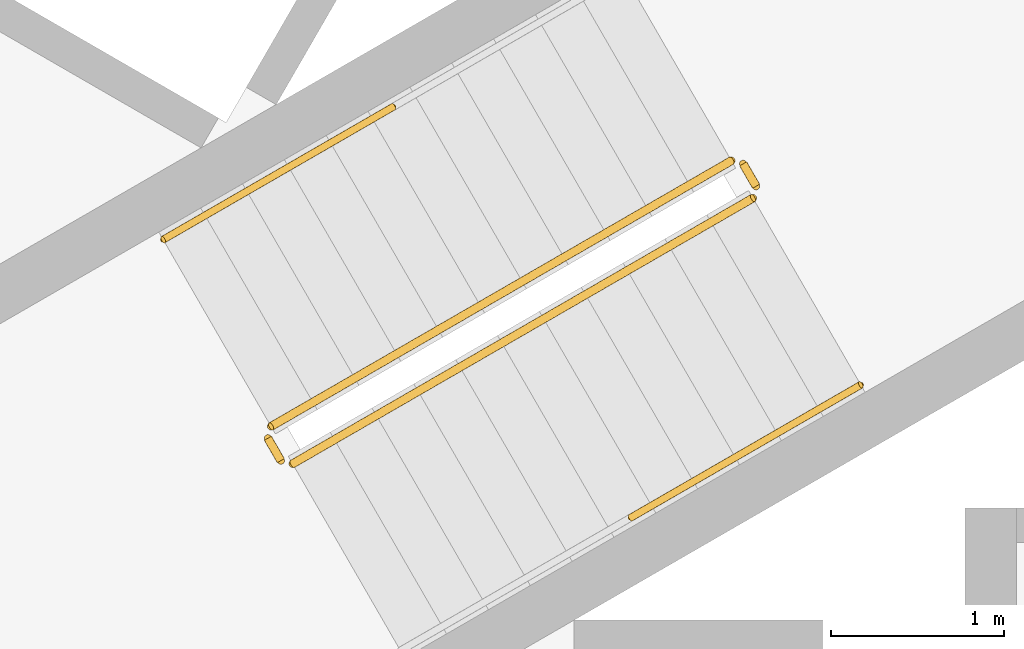
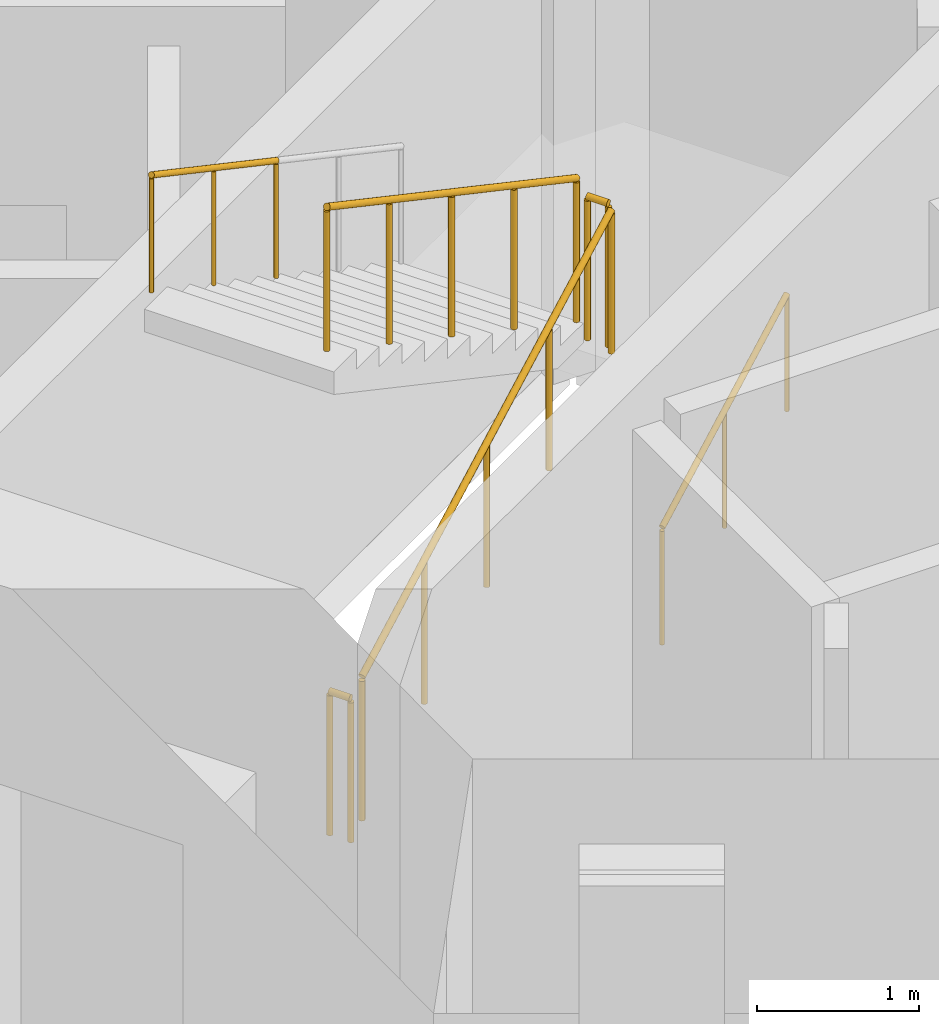
# One storey, part 13 of 18: 6 railings.
"""IFC4 building model written with IfcOpenShell, lengths in metres."""

from ifc_helpers import new_model, si_unit, direction, frame, origin, origin_2d, place, context, subcontext, project, spatial, circle, extrude, material, type_object, element, save


model = new_model("IFC4")

# Units and contexts
model_context = context("Model", 3, precision=1e-05, world=origin(), true_north=direction((0.0, 1.0)))
body_context = subcontext(model_context, "Body", "Model", "MODEL_VIEW")
ifc_project = project(units=[si_unit("LENGTHUNIT", "METRE"), si_unit("AREAUNIT", "SQUARE_METRE"), si_unit("VOLUMEUNIT", "CUBIC_METRE"), si_unit("PLANEANGLEUNIT", "RADIAN"), si_unit("MASSUNIT", "GRAM", prefix="KILO")], contexts=[model_context])

# Site, building, storey
site_placement = place(None, origin())
site = spatial("IfcSite", under=ifc_project, at=site_placement, CompositionType="ELEMENT")
building_placement = place(site_placement, origin())
building = spatial("IfcBuilding", under=site, at=building_placement, Name="Trine Commons Tower", CompositionType="ELEMENT")
storey_placement = place(building_placement, frame((0.0, 0.0, 175.5)))
storey = spatial("IfcBuildingStorey", under=building, at=storey_placement, Name="L45", CompositionType="ELEMENT", Elevation=175.5)

# Railings
ifc_material_1 = material(Name="Stainless steel balustrade", Category="steel")
railing_type_1 = type_object("IfcRailingType", Name="Stair guard, steel balustrade 1100", PredefinedType="GUARDRAIL", material=ifc_material_1)
railing_1_placement = place(storey_placement, frame((74.80517578125, 59.3564453125, 0.14990234375)))
element("IfcRailing", 1, at=railing_1_placement, inside=storey, type_object=railing_type_1, Name="L45 ST2B stair guard 1", PredefinedType="GUARDRAIL", context=body_context, shape_type="SweptSolid", body=[
    extrude(circle(Radius=0.02392578125, at=origin_2d()), frame((0.0, 0.0, 1.076171875), z_axis=(0.763379768245, 0.440728498818, 0.472239049384), x_axis=(-0.499992328818, 0.866029832698, 0.0)), (0.0, 0.0, 1.0), 3.494384765625),
    extrude(circle(Radius=0.02099609375, at=origin_2d()), origin(), (0.0, 0.0, 1.0), 1.052001953125),
    extrude(circle(Radius=0.02099609375, at=origin_2d()), frame((0.6669921875, 0.385009765625, 0.41259765625)), (0.0, 0.0, 1.0), 1.052001953125),
    extrude(circle(Radius=0.02099609375, at=origin_2d()), frame((1.333740234375, 0.77001953125, 0.8251953125)), (0.0, 0.0, 1.0), 1.052001953125),
    extrude(circle(Radius=0.02099609375, at=origin_2d()), frame((2.00048828125, 1.155029296875, 1.237548828125)), (0.0, 0.0, 1.0), 1.052001953125),
    extrude(circle(Radius=0.02099609375, at=origin_2d()), frame((2.66748046875, 1.5400390625, 1.650146484375)), (0.0, 0.0, 1.0), 1.052001953125),
])
railing_2_placement = place(storey_placement, frame((77.490966796875, 60.96484375, 1.800048828125)))
element("IfcRailing", 2, at=railing_2_placement, inside=storey, type_object=railing_type_1, Name="L45 ST2B stair guard 2", PredefinedType="GUARDRAIL", context=body_context, shape_type="SweptSolid", body=[
    extrude(circle(Radius=0.02392578125, at=origin_2d()), frame((0.0, 0.0, 1.076171875), z_axis=(-0.501036270542, 0.865426285481, 0.0), x_axis=(-0.865426285481, -0.501036270542, 0.0)), (0.0, 0.0, 1.0), 0.150146484375),
    extrude(circle(Radius=0.02099609375, at=origin_2d()), origin(), (0.0, 0.0, 1.0), 1.052001953125),
    extrude(circle(Radius=0.02099609375, at=origin_2d()), frame((-0.0751953125, 0.1298828125, 0.0)), (0.0, 0.0, 1.0), 1.052001953125),
])
railing_3_placement = place(storey_placement, frame((77.34765625, 61.113037109375, 1.949951171875)))
element("IfcRailing", 3, at=railing_3_placement, inside=storey, type_object=railing_type_1, Name="L45 ST2B stair guard 3", PredefinedType="GUARDRAIL", context=body_context, shape_type="SweptSolid", body=[
    extrude(circle(Radius=0.02392578125, at=origin_2d()), frame((0.0, 0.0, 1.076171875), z_axis=(-0.763379768245, -0.440728498818, 0.472239049384), x_axis=(0.499992328818, -0.866029832698, 0.0)), (0.0, 0.0, 1.0), 3.494384765625),
    extrude(circle(Radius=0.02099609375, at=origin_2d()), origin(), (0.0, 0.0, 1.0), 1.052001953125),
    extrude(circle(Radius=0.02099609375, at=origin_2d()), frame((-0.6669921875, -0.385009765625, 0.41259765625)), (0.0, 0.0, 1.0), 1.052001953125),
    extrude(circle(Radius=0.02099609375, at=origin_2d()), frame((-1.333740234375, -0.77001953125, 0.8251953125)), (0.0, 0.0, 1.0), 1.052001953125),
    extrude(circle(Radius=0.02099609375, at=origin_2d()), frame((-2.00048828125, -1.155029296875, 1.237548828125)), (0.0, 0.0, 1.0), 1.052001953125),
    extrude(circle(Radius=0.02099609375, at=origin_2d()), frame((-2.66748046875, -1.5400390625, 1.650146484375)), (0.0, 0.0, 1.0), 1.052001953125),
])
railing_4_placement = place(storey_placement, frame((74.73681640625, 59.374755859375, 0.0)))
element("IfcRailing", 4, at=railing_4_placement, inside=storey, type_object=railing_type_1, Name="L45 ST2B stair guard 4", PredefinedType="GUARDRAIL", context=body_context, shape_type="SweptSolid", body=[
    extrude(circle(Radius=0.02392578125, at=origin_2d()), frame((0.0, 0.0, 1.076171875), z_axis=(-0.499816412211, 0.866131372301, 0.0), x_axis=(-0.866131372301, -0.499816412211, 0.0)), (0.0, 0.0, 1.0), 0.14990234375),
    extrude(circle(Radius=0.02099609375, at=origin_2d()), origin(), (0.0, 0.0, 1.0), 1.052001953125),
    extrude(circle(Radius=0.02099609375, at=origin_2d()), frame((-0.074951171875, 0.1298828125, 0.0)), (0.0, 0.0, 1.0), 1.052001953125),
])
ifc_material_2 = material(Name="Stainless steel handrail", Category="steel")
railing_type_2 = type_object("IfcRailingType", Name="Stair handrail, steel 900", PredefinedType="HANDRAIL", material=ifc_material_2)
railing_5_placement = place(storey_placement, frame((76.763916015625, 59.0439453125, 0.97509765625)))
element("IfcRailing", 5, at=railing_5_placement, inside=storey, type_object=railing_type_2, Name="L45 ST2B stair handrail 2", PredefinedType="HANDRAIL", context=body_context, shape_type="SweptSolid", body=[
    extrude(circle(Radius=0.02099609375, at=origin_2d()), frame((0.0, 0.0, 0.87890625), z_axis=(0.76340495495, 0.440743040072, 0.472184759798), x_axis=(-0.499992328818, 0.866029832698, 0.0)), (0.0, 0.0, 1.0), 1.7470703125),
    extrude(circle(Radius=0.01513671875, at=origin_2d()), origin(), (0.0, 0.0, 1.0), 0.85791015625),
    extrude(circle(Radius=0.01513671875, at=origin_2d()), frame((0.6669921875, 0.385009765625, 0.41259765625)), (0.0, 0.0, 1.0), 0.85791015625),
    extrude(circle(Radius=0.01513671875, at=origin_2d()), frame((1.333740234375, 0.77001953125, 0.824951171875)), (0.0, 0.0, 1.0), 0.85791015625),
])
railing_6_placement = place(storey_placement, frame((75.388916015625, 61.425537109375, 2.77490234375)))
element("IfcRailing", 6, at=railing_6_placement, inside=storey, type_object=railing_type_2, Name="L45 ST2B stair handrail 4", PredefinedType="HANDRAIL", context=body_context, shape_type="SweptSolid", body=[
    extrude(circle(Radius=0.02099609375, at=origin_2d()), frame((0.0, 0.0, 0.87890625), z_axis=(-0.763354580307, -0.440713956853, 0.472293333596), x_axis=(0.499992328818, -0.866029832698, 0.0)), (0.0, 0.0, 1.0), 1.747314453125),
    extrude(circle(Radius=0.01513671875, at=origin_2d()), origin(), (0.0, 0.0, 1.0), 0.85791015625),
    extrude(circle(Radius=0.01513671875, at=origin_2d()), frame((-0.6669921875, -0.385009765625, 0.41259765625)), (0.0, 0.0, 1.0), 0.85791015625),
    extrude(circle(Radius=0.01513671875, at=origin_2d()), frame((-1.333740234375, -0.77001953125, 0.8251953125)), (0.0, 0.0, 1.0), 0.85791015625),
])

save(model, "model.ifc")
